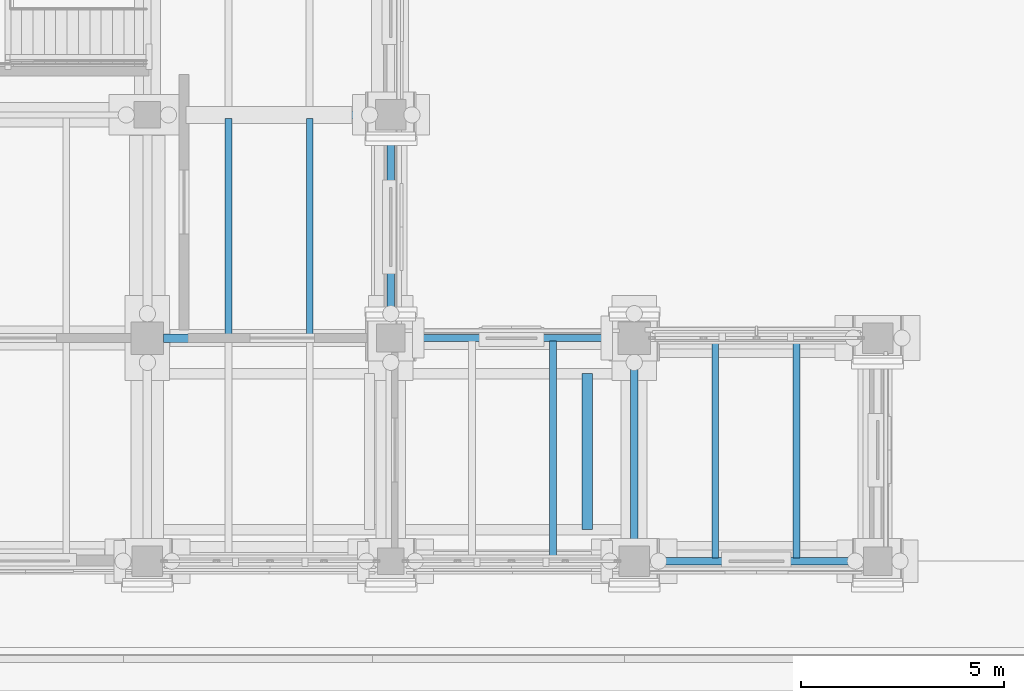
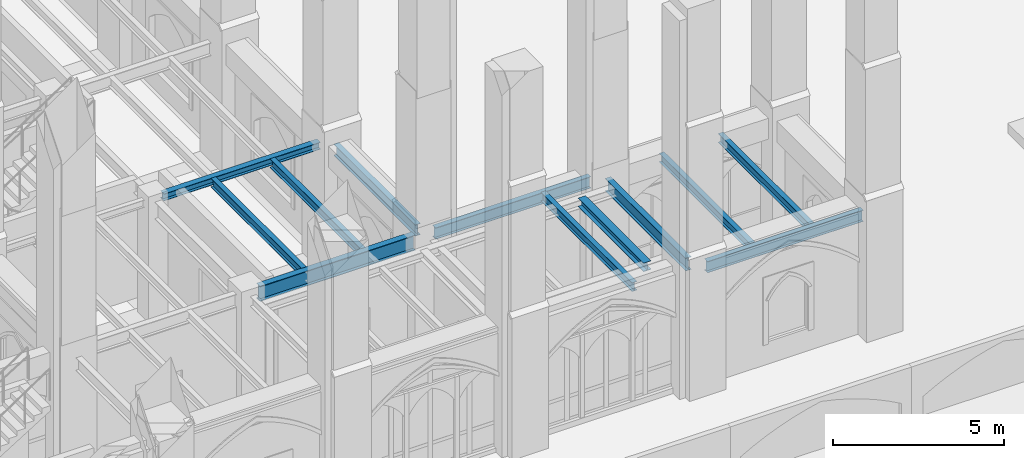
# One storey, part 36 of 135: 12 beams.
"""IFC4 building model written with IfcOpenShell, lengths in metres."""

from ifc_helpers import new_model, si_unit, direction, frame, origin, origin_2d, place, context, subcontext, project, spatial, i_section, extrude, material, material_profile, profile_set, type_object, element, save


model = new_model("IFC4")

# Units and contexts
model_context = context("Model", 3, precision=1e-05, world=origin(), true_north=direction((0.0, 1.0)))
body_context = subcontext(model_context, "Body", "Model", "MODEL_VIEW")
ifc_project = project(units=[si_unit("LENGTHUNIT", "METRE"), si_unit("AREAUNIT", "SQUARE_METRE"), si_unit("VOLUMEUNIT", "CUBIC_METRE"), si_unit("PLANEANGLEUNIT", "RADIAN"), si_unit("MASSUNIT", "GRAM", prefix="KILO")], contexts=[model_context])

# Site, building, storey
site_placement = place(None, origin())
site = spatial("IfcSite", under=ifc_project, at=site_placement, CompositionType="ELEMENT")
building_placement = place(site_placement, origin())
building = spatial("IfcBuilding", under=site, at=building_placement, Name="Cumevento Cable Car Station", CompositionType="ELEMENT")
storey_placement = place(building_placement, origin())
storey = spatial("IfcBuildingStorey", under=building, at=storey_placement, Name="L01", CompositionType="ELEMENT", Elevation=0.0)

# Beams
ifc_material_1 = material(Name="Steel ASTM A572 Grade 50", Category="steel")
ifc_material_profile_1 = material_profile(ifc_material_1, i_section(OverallWidth=0.18994140625, OverallDepth=0.45703125, WebThickness=0.009033203125, FlangeThickness=0.014404296875, at=origin_2d()), Name="W460x74.0")
ifc_profile_set_1 = profile_set([ifc_material_profile_1], Name="Steel ASTM A572 Grade 50")
beam_type_1 = type_object("IfcBeamType", Name="Structural Beam BM-04 W460x74.0", PredefinedType="BEAM", material=ifc_profile_set_1)
beam_1_placement = place(storey_placement, frame((76.0, 4.375, 4.047607421875), z_axis=(0.0, 1.0, 0.0), x_axis=(-1.0, 0.0, 0.0)))
element("IfcBeam", 1, at=beam_1_placement, inside=storey, type_object=beam_type_1, Name="Beam BM-04 L01 #38", PredefinedType="BEAM", context=body_context, shape_type="SweptSolid", body=[
    extrude(i_section(OverallWidth=0.18994140625, OverallDepth=0.45703125, WebThickness=0.009033203125, FlangeThickness=0.014404296875, at=origin_2d()), origin(), (0.0, 0.0, 1.0), 4.72509765625),
])
ifc_material_2 = material(Name="Steel ASTM A572 Grade 50", Category="steel")
ifc_material_profile_2 = material_profile(ifc_material_2, i_section(OverallWidth=0.25390625, OverallDepth=0.305908203125, WebThickness=0.0087890625, FlangeThickness=0.0146484375, at=origin_2d()), Name="W310x79.0")
ifc_profile_set_2 = profile_set([ifc_material_profile_2], Name="Steel ASTM A572 Grade 50")
beam_type_2 = type_object("IfcBeamType", Name="Structural Beam BM-06 W310x79.0", PredefinedType="BEAM", material=ifc_profile_set_2)
beam_2_placement = place(storey_placement, frame((74.840087890625, 4.777099609375, 4.123046875), z_axis=(0.0, 1.0, 0.0), x_axis=(-1.0, 0.0, 0.0)))
element("IfcBeam", 2, at=beam_2_placement, inside=storey, type_object=beam_type_2, Name="Stairwell Cross-Trimmer ST-08 #28", PredefinedType="BEAM", context=body_context, shape_type="SweptSolid", body=[
    extrude(i_section(OverallWidth=0.25390625, OverallDepth=0.305908203125, WebThickness=0.0087890625, FlangeThickness=0.0146484375, at=origin_2d()), origin(), (0.0, 0.0, 1.0), 3.845947265625),
])
ifc_material_3 = material(Name="Steel ASTM A572 Grade 50", Category="steel")
ifc_material_profile_3 = material_profile(ifc_material_3, i_section(OverallWidth=0.202880859375, OverallDepth=0.251953125, WebThickness=0.008056640625, FlangeThickness=0.013427734375, at=origin_2d()), Name="W250x58.0")
ifc_profile_set_3 = profile_set([ifc_material_profile_3], Name="Steel ASTM A572 Grade 50")
beam_type_3 = type_object("IfcBeamType", Name="Structural Beam BM-08 W250x58.0", PredefinedType="BEAM", material=ifc_profile_set_3)
beam_3_placement = place(storey_placement, frame((64.324951171875, 15.0, 4.1259765625), z_axis=(1.0, 0.0, 0.0), x_axis=(0.0, 1.0, 0.0)))
element("IfcBeam", 3, at=beam_3_placement, inside=storey, type_object=beam_type_3, Name="Beam BM-08 L01 #53", PredefinedType="BEAM", context=body_context, shape_type="SweptSolid", body=[
    extrude(i_section(OverallWidth=0.202880859375, OverallDepth=0.251953125, WebThickness=0.008056640625, FlangeThickness=0.013427734375, at=origin_2d()), origin(), (0.0, 0.0, 1.0), 5.300048828125),
])
ifc_material_4 = material(Name="Steel ASTM A572 Grade 50", Category="steel")
ifc_material_profile_4 = material_profile(ifc_material_4, i_section(OverallWidth=0.2109375, OverallDepth=0.5390625, WebThickness=0.01171875, FlangeThickness=0.018798828125, at=origin_2d()), Name="W530x109.0")
ifc_profile_set_4 = profile_set([ifc_material_profile_4], Name="Steel ASTM A572 Grade 50")
beam_type_4 = type_object("IfcBeamType", Name="Structural Beam BM-11 W530x109.0", PredefinedType="BEAM", material=ifc_profile_set_4)
beam_4_placement = place(storey_placement, frame((64.39990234375, 9.5, 3.982421875), z_axis=(1.0, 0.0, 0.0), x_axis=(0.0, 1.0, 0.0)))
element("IfcBeam", 4, at=beam_4_placement, inside=storey, type_object=beam_type_4, Name="Beam BM-11 L01 #32", PredefinedType="BEAM", context=body_context, shape_type="SweptSolid", body=[
    extrude(i_section(OverallWidth=0.2109375, OverallDepth=0.5390625, WebThickness=0.01171875, FlangeThickness=0.018798828125, at=origin_2d()), origin(), (0.0, 0.0, 1.0), 5.25),
])
ifc_material_5 = material(Name="Steel ASTM A572 Grade 50", Category="steel")
ifc_material_profile_5 = material_profile(ifc_material_5, i_section(OverallWidth=0.1669921875, OverallDepth=0.31689453125, WebThickness=0.007568359375, FlangeThickness=0.01318359375, at=origin_2d()), Name="W310x52.0")
ifc_profile_set_5 = profile_set([ifc_material_profile_5], Name="Steel ASTM A572 Grade 50")
beam_type_5 = type_object("IfcBeamType", Name="Structural Joist JS-02 W310x52.0", PredefinedType="JOIST", material=ifc_profile_set_5)
for number, where, z_axis, x_axis, name in (
    (5, (74.0, 4.076904296875, 4.117431640625), (0.0, 1.0, 0.0), (-1.0, 0.0, 0.0), "Composite Floor Joist JS-02 L01 #324"),
    (6, (78.0, 4.076904296875, 4.117431640625), (0.0, 1.0, 0.0), (-1.0, 0.0, 0.0), "Composite Floor Joist JS-02 L01 #325"),
    (7, (80.0, 4.076904296875, 4.117431640625), (0.0, 1.0, 0.0), (-1.0, 0.0, 0.0), "Composite Floor Joist JS-02 L01 #326"),
):
    element("IfcBeam", number, at=place(storey_placement, frame(where, z_axis=z_axis, x_axis=x_axis)), inside=storey, type_object=beam_type_5, Name=name, PredefinedType="JOIST", context=body_context, shape_type="SweptSolid", body=[
        extrude(i_section(OverallWidth=0.1669921875, OverallDepth=0.31689453125, WebThickness=0.007568359375, FlangeThickness=0.01318359375, at=origin_2d()), origin(), (0.0, 0.0, 1.0), 5.34619140625),
    ])
for number, where, z_axis, x_axis, name in (
    (8, (66.0, 9.593505859375, 4.093505859375), (0.0, 1.0, 0.0), (-1.0, 0.0, 0.0), "Composite Floor Joist JS-02 L01 #343"),
    (9, (68.0, 9.593505859375, 4.093505859375), (0.0, 1.0, 0.0), (-1.0, 0.0, 0.0), "Composite Floor Joist JS-02 L01 #348"),
):
    element("IfcBeam", number, at=place(storey_placement, frame(where, z_axis=z_axis, x_axis=x_axis)), inside=storey, type_object=beam_type_5, Name=name, PredefinedType="JOIST", context=body_context, shape_type="SweptSolid", body=[
        extrude(i_section(OverallWidth=0.1669921875, OverallDepth=0.31689453125, WebThickness=0.007568359375, FlangeThickness=0.01318359375, at=origin_2d()), origin(), (0.0, 0.0, 1.0), 5.31689453125),
    ])
ifc_material_6 = material(Name="Steel ASTM A572 Grade 50", Category="steel")
ifc_material_profile_6 = material_profile(ifc_material_6, i_section(OverallWidth=0.177978515625, OverallDepth=0.406982421875, WebThickness=0.0078125, FlangeThickness=0.0126953125, at=origin_2d()), Name="W410x60.0")
ifc_profile_set_6 = profile_set([ifc_material_profile_6], Name="Steel ASTM A572 Grade 50")
beam_type_6 = type_object("IfcBeamType", Name="Structural Spandrel SP-01 W410x60.0", PredefinedType="SPANDREL", material=ifc_profile_set_6)
beam_5_placement = place(storey_placement, frame((76.375, 4.0, 4.072509765625), z_axis=(1.0, 0.0, 0.0), x_axis=(0.0, 1.0, 0.0)))
element("IfcBeam", 10, at=beam_5_placement, inside=storey, type_object=beam_type_6, Name="Beam SP-01 L01 #28", PredefinedType="SPANDREL", context=body_context, shape_type="SweptSolid", body=[
    extrude(i_section(OverallWidth=0.177978515625, OverallDepth=0.406982421875, WebThickness=0.0078125, FlangeThickness=0.0126953125, at=origin_2d()), origin(), (0.0, 0.0, 1.0), 5.27490234375),
])
beam_6_placement = place(storey_placement, frame((70.35009765625, 9.5, 4.048583984375), z_axis=(1.0, 0.0, 0.0), x_axis=(0.0, 1.0, 0.0)))
element("IfcBeam", 11, at=beam_6_placement, inside=storey, type_object=beam_type_6, Name="Beam SP-01 L01 #33", PredefinedType="SPANDREL", context=body_context, shape_type="SweptSolid", body=[
    extrude(i_section(OverallWidth=0.177978515625, OverallDepth=0.406982421875, WebThickness=0.0078125, FlangeThickness=0.0126953125, at=origin_2d()), origin(), (0.0, 0.0, 1.0), 5.25),
])
beam_7_placement = place(storey_placement, frame((70.0, 9.85009765625, 4.048583984375), z_axis=(0.0, 1.0, 0.0), x_axis=(-1.0, 0.0, 0.0)))
element("IfcBeam", 12, at=beam_7_placement, inside=storey, type_object=beam_type_6, Name="Beam SP-01 L01 #72", PredefinedType="SPANDREL", context=body_context, shape_type="SweptSolid", body=[
    extrude(i_section(OverallWidth=0.177978515625, OverallDepth=0.406982421875, WebThickness=0.0078125, FlangeThickness=0.0126953125, at=origin_2d()), origin(), (0.0, 0.0, 1.0), 4.77490234375),
])

save(model, "model.ifc")
